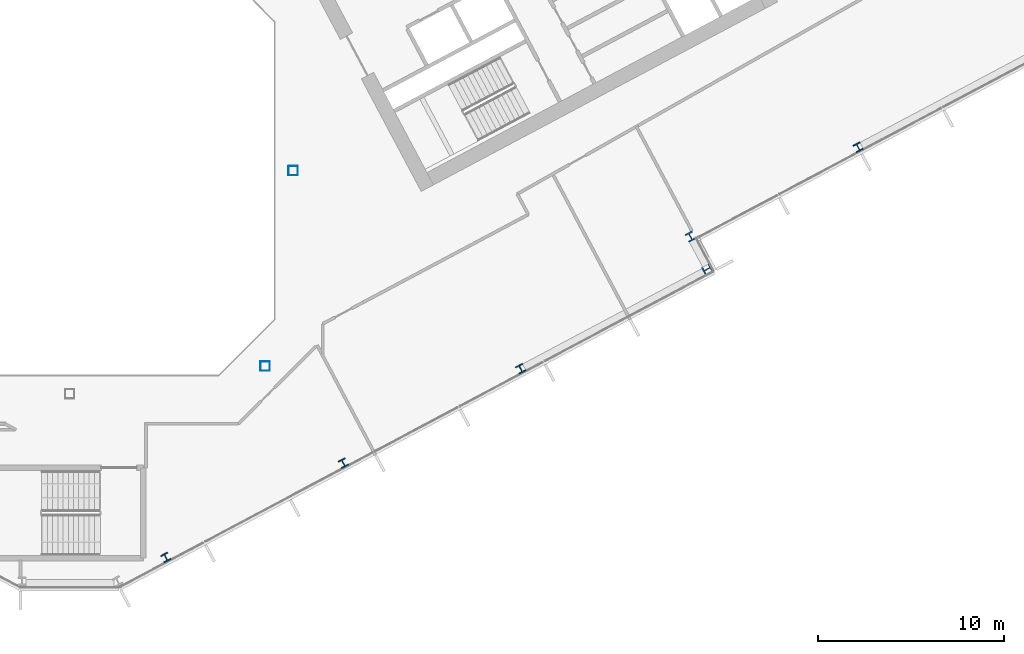
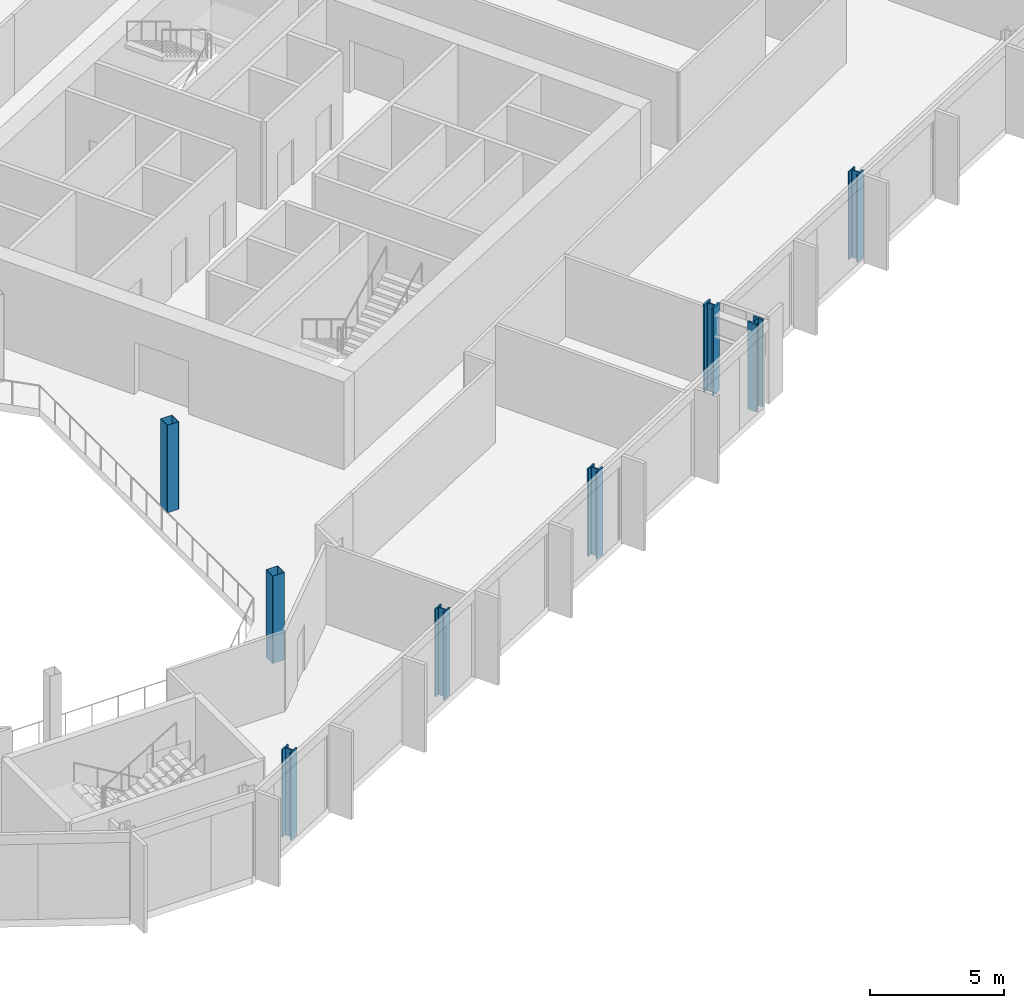
# One storey, part 5 of 28: 8 columns.
"""IFC4 building model written with IfcOpenShell, lengths in metres."""

from ifc_helpers import new_model, si_unit, direction, frame, origin, origin_2d, place, context, subcontext, project, spatial, hollow_rectangle, i_section, extrude, material, material_profile, profile_set, type_object, element, save


model = new_model("IFC4")

# Units and contexts
model_context = context("Model", 3, precision=1e-05, world=origin(), true_north=direction((0.0, 1.0)))
body_context = subcontext(model_context, "Body", "Model", "MODEL_VIEW")
ifc_project = project(units=[si_unit("LENGTHUNIT", "METRE"), si_unit("AREAUNIT", "SQUARE_METRE"), si_unit("VOLUMEUNIT", "CUBIC_METRE"), si_unit("PLANEANGLEUNIT", "RADIAN"), si_unit("MASSUNIT", "GRAM", prefix="KILO")], contexts=[model_context])

# Site, building, storey
site_placement = place(None, origin())
site = spatial("IfcSite", under=ifc_project, at=site_placement, CompositionType="ELEMENT")
building_placement = place(site_placement, origin())
building = spatial("IfcBuilding", under=site, at=building_placement, Name="Cormorant Relay Tower", CompositionType="ELEMENT")
storey_placement = place(building_placement, frame((0.0, 0.0, 142.199951171875)))
storey = spatial("IfcBuildingStorey", under=building, at=storey_placement, Name="L29", CompositionType="ELEMENT", Elevation=142.199951171875)

# Columns
ifc_material_1 = material(Name="Steel ASTM A500 Grade C (Fy 345 MPa)", Category="steel")
ifc_material_profile_1 = material_profile(ifc_material_1, hollow_rectangle(XDim=0.508056640625, YDim=0.508056640625, WallThickness=0.01171875, InnerFilletRadius=0.005859375, OuterFilletRadius=0.017822265625, at=origin_2d()), Name="HSS508x508x12")
ifc_profile_set_1 = profile_set([ifc_material_profile_1], Name="Steel ASTM A500 Grade C (Fy 345 MPa)")
column_type_1 = type_object("IfcColumnType", Name="Column HSS508x508x12", PredefinedType="COLUMN", material=ifc_profile_set_1)
for number, where, z_axis, x_axis, name in (
    (1, (10.5, -10.5, 0.0), (0.0, 0.0, 1.0), (1.0, 0.0, 0.0), "Column L29-010"),
    (2, (12.0, 0.0, 0.0), (0.0, 0.0, 1.0), (1.0, 0.0, 0.0), "Column L29-016"),
):
    element("IfcColumn", number, at=place(storey_placement, frame(where, z_axis=z_axis, x_axis=x_axis)), inside=storey, type_object=column_type_1, Name=name, PredefinedType="COLUMN", context=body_context, shape_type="SweptSolid", body=[
        extrude(hollow_rectangle(XDim=0.508056640625, YDim=0.508056640625, WallThickness=0.01171875, InnerFilletRadius=0.005859375, OuterFilletRadius=0.017822265625, at=origin_2d()), origin(), (0.0, 0.0, 1.0), 4.0),
    ])
ifc_material_2 = material(Name="Steel ASTM A992 (Fy 345 MPa)", Category="steel")
ifc_material_profile_2 = material_profile(ifc_material_2, i_section(OverallWidth=0.41162109375, OverallDepth=0.434326171875, WebThickness=0.035888671875, FlangeThickness=0.057373046875, FilletRadius=0.01513671875, at=origin_2d()), Name="W360x463")
ifc_profile_set_2 = profile_set([ifc_material_profile_2], Name="Steel ASTM A992 (Fy 345 MPa)")
column_type_2 = type_object("IfcColumnType", Name="Column W360x463", PredefinedType="COLUMN", material=ifc_profile_set_2)
for number, where, z_axis, x_axis, name in (
    (3, (5.1640625, -20.7890625, 0.0), (0.0, 0.0, 1.0), (0.882947592859, 0.469471562786, 0.0), "Column L29-003"),
    (4, (14.699951171875, -15.718994140625, 0.0), (0.0, 0.0, 1.0), (0.882947592859, 0.469471562786, 0.0), "Column L29-005"),
    (5, (24.236083984375, -10.64794921875, 0.0), (0.0, 0.0, 1.0), (0.882947592859, 0.469471562786, 0.0), "Column L29-008"),
    (6, (42.368896484375, 1.258056640625, 0.0), (0.0, 0.0, 1.0), (0.882947592859, 0.469471562786, 0.0), "Column L29-017"),
):
    element("IfcColumn", number, at=place(storey_placement, frame(where, z_axis=z_axis, x_axis=x_axis)), inside=storey, type_object=column_type_2, Name=name, PredefinedType="COLUMN", context=body_context, shape_type="SweptSolid", body=[
        extrude(i_section(OverallWidth=0.41162109375, OverallDepth=0.434326171875, WebThickness=0.035888671875, FlangeThickness=0.057373046875, FilletRadius=0.01513671875, at=origin_2d()), origin(), (0.0, 0.0, 1.0), 4.0),
    ])
ifc_material_3 = material(Name="Steel ASTM A992 (Fy 345 MPa)", Category="steel")
ifc_material_profile_3 = material_profile(ifc_material_3, i_section(OverallWidth=0.42431640625, OverallDepth=0.47509765625, WebThickness=0.0478515625, FlangeThickness=0.0771484375, FilletRadius=0.014892578125, at=origin_2d()), Name="W360x634")
ifc_profile_set_3 = profile_set([ifc_material_profile_3], Name="Steel ASTM A992 (Fy 345 MPa)")
column_type_3 = type_object("IfcColumnType", Name="Column W360x634", PredefinedType="COLUMN", material=ifc_profile_set_3)
for number, where, z_axis, x_axis, name in (
    (7, (34.256103515625, -5.297119140625, 0.0), (0.0, 0.0, 1.0), (-0.469471562786, 0.882947592859, 0.0), "Column L29-012"),
    (8, (33.35595703125, -3.54296875, 0.0), (0.0, 0.0, 1.0), (0.882947592859, 0.469471562786, 0.0), "Column L29-014"),
):
    element("IfcColumn", number, at=place(storey_placement, frame(where, z_axis=z_axis, x_axis=x_axis)), inside=storey, type_object=column_type_3, Name=name, PredefinedType="COLUMN", context=body_context, shape_type="SweptSolid", body=[
        extrude(i_section(OverallWidth=0.42431640625, OverallDepth=0.47509765625, WebThickness=0.0478515625, FlangeThickness=0.0771484375, FilletRadius=0.014892578125, at=origin_2d()), origin(), (0.0, 0.0, 1.0), 4.0),
    ])

save(model, "model.ifc")
